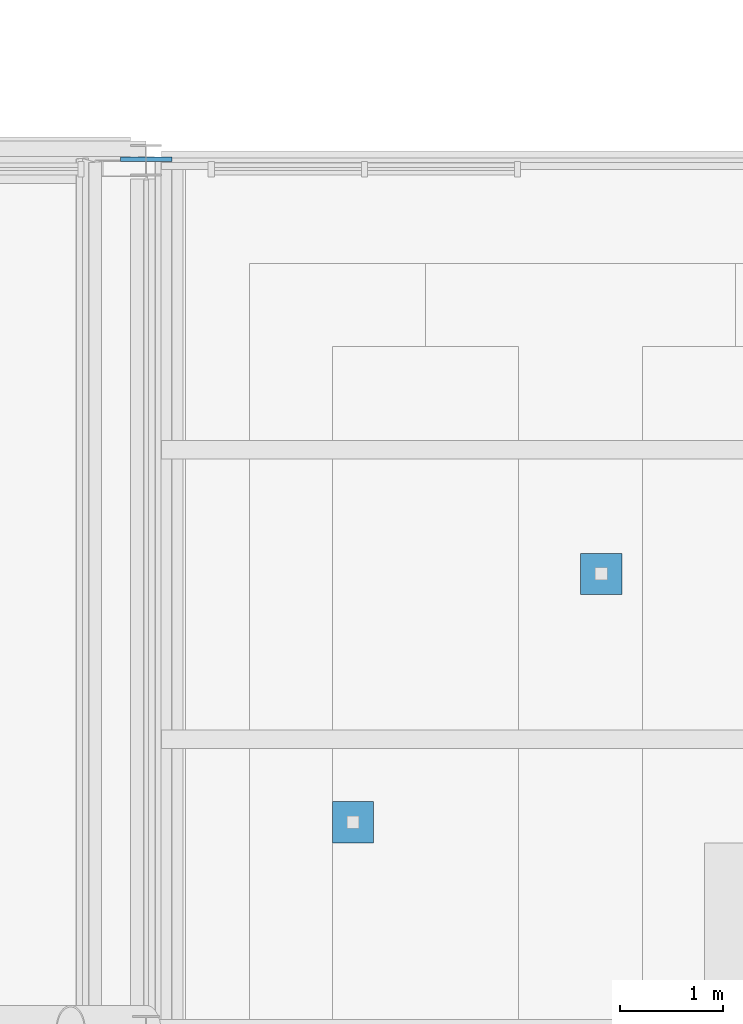
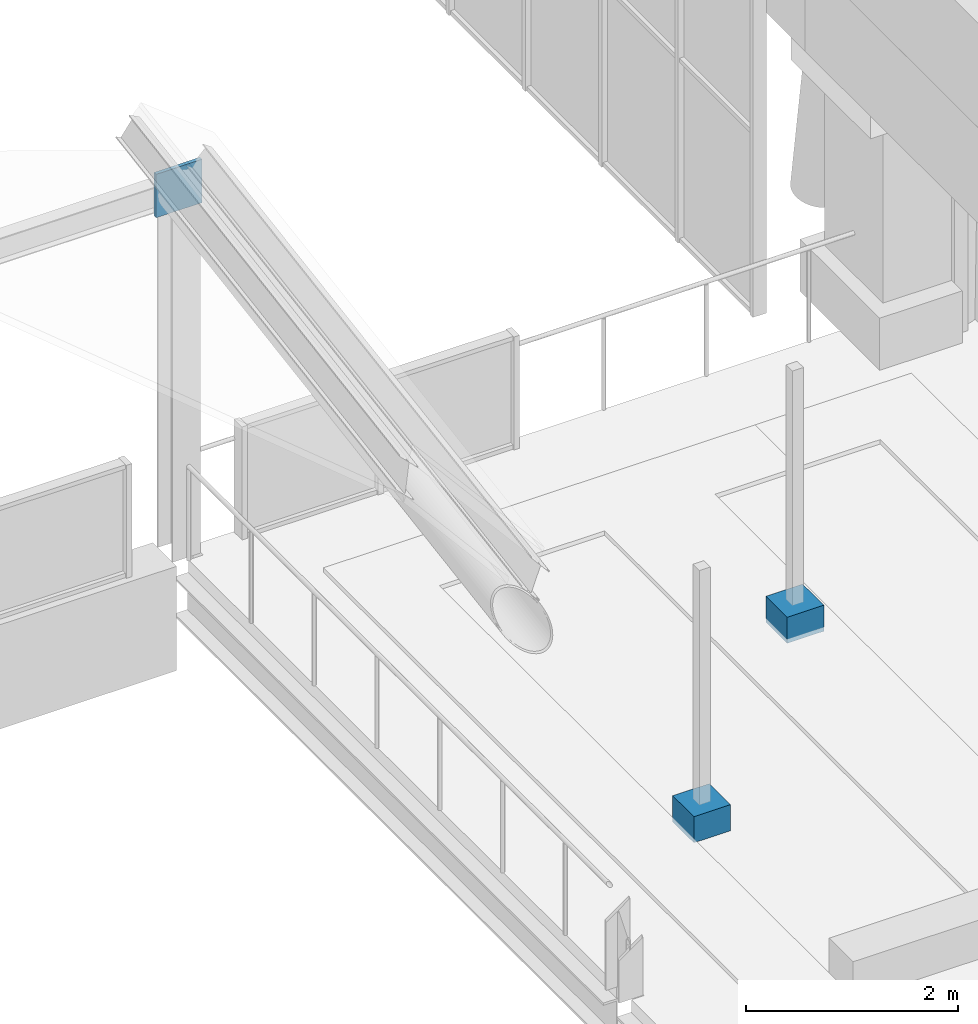
# One storey, part 52 of 76: 3 discrete accessories.
"""IFC4 building model written with IfcOpenShell, lengths in metres."""

from ifc_helpers import new_model, si_unit, direction, frame, origin, origin_2d, place, context, subcontext, project, spatial, rectangle, extrude, material, layer, layer_set, type_object, element, save


model = new_model("IFC4")

# Units and contexts
model_context = context("Model", 3, precision=1e-05, world=origin(), true_north=direction((0.0, 1.0)))
body_context = subcontext(model_context, "Body", "Model", "MODEL_VIEW")
ifc_project = project(units=[si_unit("LENGTHUNIT", "METRE"), si_unit("AREAUNIT", "SQUARE_METRE"), si_unit("VOLUMEUNIT", "CUBIC_METRE"), si_unit("PLANEANGLEUNIT", "RADIAN"), si_unit("MASSUNIT", "GRAM", prefix="KILO")], contexts=[model_context])

# Site, building, storey
site_placement = place(None, origin())
site = spatial("IfcSite", under=ifc_project, at=site_placement, CompositionType="ELEMENT")
building_placement = place(site_placement, origin())
building = spatial("IfcBuilding", under=site, at=building_placement, Name="Sava Quay Ferry Terminal", CompositionType="ELEMENT")
storey_placement = place(building_placement, frame((0.0, 0.0, 10.800048828125)))
storey = spatial("IfcBuildingStorey", under=building, at=storey_placement, Name="L02", CompositionType="ELEMENT", Elevation=10.800048828125)

# Discrete accessories
ifc_material_1 = material(Name="Steel S355", Category="steel")
ifc_layer = layer(ifc_material_1, 0.030029296875)
ifc_layer_set = layer_set([ifc_layer], Name="Steel S355")
discrete_accessory_type_1 = type_object("IfcDiscreteAccessoryType", Name="Eave beam end plate 30", PredefinedType="ANCHORPLATE", material=ifc_layer_set)
discrete_accessory_placement = place(storey_placement, frame((75.60009765625, 50.409912109375, 3.91455078125), z_axis=(0.0, 0.0, 1.0), x_axis=(1.0, 0.0, 0.0)))
element("IfcDiscreteAccessory", 1, at=discrete_accessory_placement, inside=storey, type_object=discrete_accessory_type_1, Name="Arrivals hall eave beam end plate R2", PredefinedType="ANCHORPLATE", context=body_context, shape_type="SweptSolid", body=[
    extrude(rectangle(XDim=0.5, YDim=0.0400390625, at=origin_2d()), origin(), (0.0, 0.0, 1.0), 0.5),
])
ifc_material_2 = material(Name="Precast concrete C30/37", Category="concrete")
discrete_accessory_type_2 = type_object("IfcDiscreteAccessoryType", Name="Terrace lamp base 400", PredefinedType="NOTDEFINED", material=ifc_material_2)
for number, where, z_axis, x_axis, name in (
    (2, (77.60009765625, 44.0, 0.0), (0.0, 0.0, 1.0), (1.0, 0.0, 0.0), "Terrace lamp base"),
    (3, (80.0, 46.39990234375, 0.0), (0.0, 0.0, 1.0), (1.0, 0.0, 0.0), "Terrace lamp base"),
):
    element("IfcDiscreteAccessory", number, at=place(storey_placement, frame(where, z_axis=z_axis, x_axis=x_axis)), inside=storey, type_object=discrete_accessory_type_2, Name=name, PredefinedType="NOTDEFINED", context=body_context, shape_type="SweptSolid", body=[
        extrude(rectangle(XDim=0.39990234375, YDim=0.39990234375, at=origin_2d()), origin(), (0.0, 0.0, 1.0), 0.300048828125),
    ])

save(model, "model.ifc")
